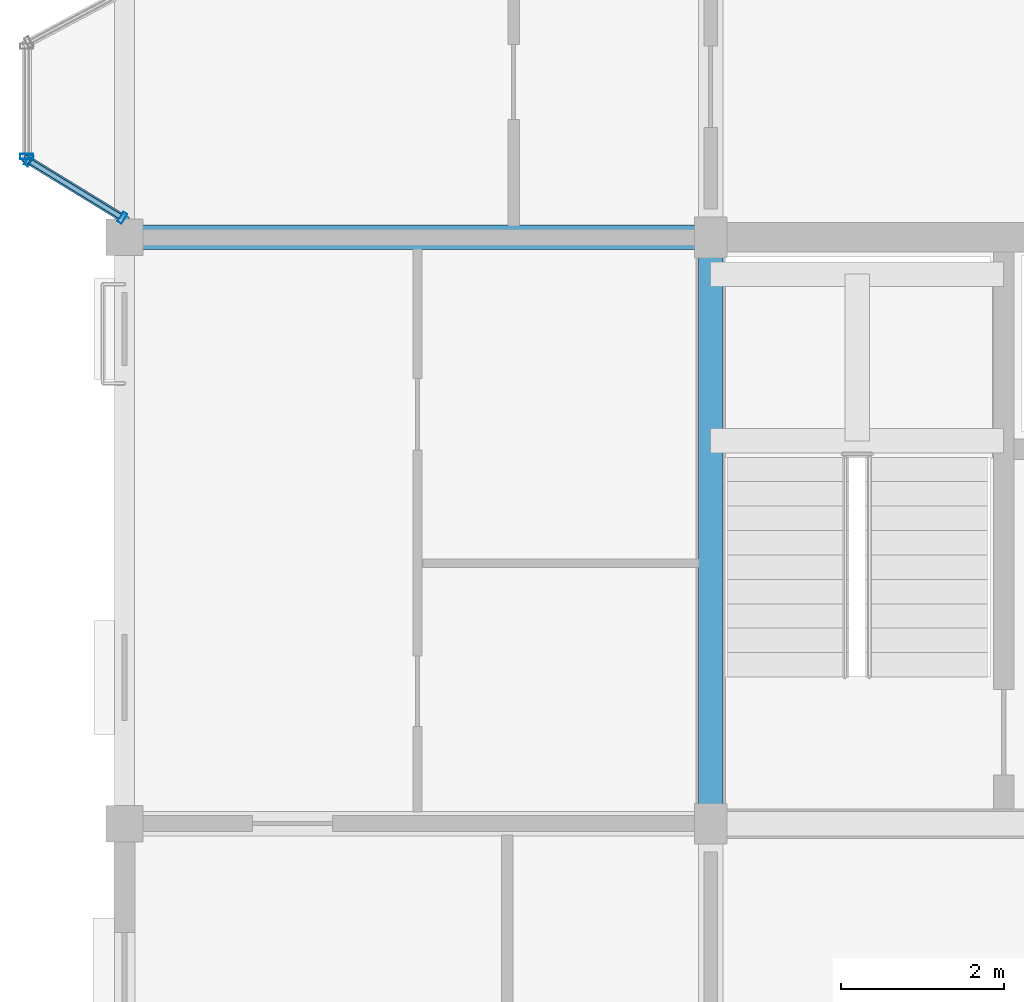
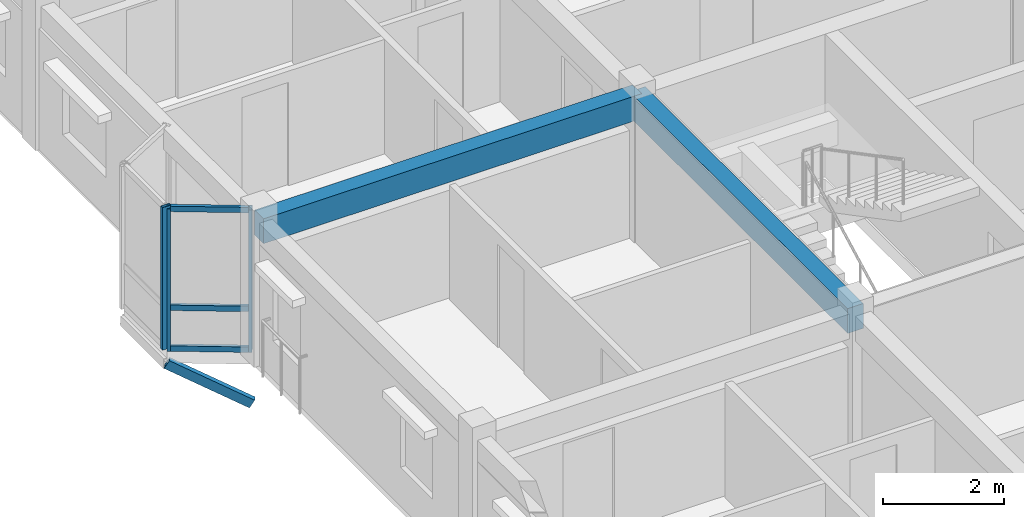
# One storey, part 5 of 28: 7 members, 2 beams, 2 elements without a shape of their own.
"""IFC4 building model written with IfcOpenShell, lengths in metres."""

from ifc_helpers import new_model, si_unit, direction, frame, origin, origin_2d, place, context, subcontext, project, spatial, rectangle, hollow_rectangle, extrude, material, layer, layer_set, material_profile, profile_set, type_object, element, aggregate, save


model = new_model("IFC4")

# Units and contexts
model_context = context("Model", 3, precision=1e-05, world=origin(), true_north=direction((0.0, 1.0)))
body_context = subcontext(model_context, "Body", "Model", "MODEL_VIEW")
ifc_project = project(units=[si_unit("LENGTHUNIT", "METRE"), si_unit("AREAUNIT", "SQUARE_METRE"), si_unit("VOLUMEUNIT", "CUBIC_METRE"), si_unit("PLANEANGLEUNIT", "RADIAN"), si_unit("MASSUNIT", "GRAM", prefix="KILO"), si_unit("THERMODYNAMICTEMPERATUREUNIT", "KELVIN"), si_unit("POWERUNIT", "WATT")], contexts=[model_context])

# Site, building, storey
site_placement = place(None, origin())
site = spatial("IfcSite", under=ifc_project, at=site_placement, CompositionType="ELEMENT")
building_placement = place(site_placement, origin())
building = spatial("IfcBuilding", under=site, at=building_placement, Name="Tavuni Mirador Residences", CompositionType="ELEMENT")
storey_placement = place(building_placement, frame((0.0, 0.0, 39.14990234375)))
storey = spatial("IfcBuildingStorey", under=building, at=storey_placement, Name="L12", CompositionType="ELEMENT", Elevation=39.14990234375)

# Beams
ifc_material_1 = material(Name="Precast concrete C40/50", Category="concrete")
ifc_material_profile_1 = material_profile(ifc_material_1, rectangle(XDim=0.300048828125, YDim=0.5, at=origin_2d()), Name="PC 300x500", Category="concrete")
ifc_profile_set_1 = profile_set([ifc_material_profile_1], Name="Precast concrete C40/50")
beam_type = type_object("IfcBeamType", Name="BT-B500", PredefinedType="BEAM", material=ifc_profile_set_1)
beam_1_placement = place(storey_placement, frame((3.60009765625, 21.60009765625, 2.6201171875), z_axis=(1.0, 0.0, 0.0), x_axis=(0.0, 1.0, 0.0)))
element("IfcBeam", 1, at=beam_1_placement, inside=storey, type_object=beam_type, Name="BMX-BLK-A-L12-00-02", PredefinedType="BEAM", context=body_context, shape_type="SweptSolid", body=[
    extrude(rectangle(XDim=0.300048828125, YDim=0.5, at=origin_2d()), origin(), (0.0, 0.0, 1.0), 7.199951171875),
])
beam_2_placement = place(storey_placement, frame((10.800048828125, 14.39990234375, 2.6201171875), z_axis=(0.0, 1.0, 0.0), x_axis=(-1.0, 0.0, 0.0)))
element("IfcBeam", 2, at=beam_2_placement, inside=storey, type_object=beam_type, Name="BMY-BLK-A-L12-01-01", PredefinedType="BEAM", context=body_context, shape_type="SweptSolid", body=[
    extrude(rectangle(XDim=0.300048828125, YDim=0.5, at=origin_2d()), origin(), (0.0, 0.0, 1.0), 7.2001953125),
])

# Curtain wall, members
ifc_material_2 = material(Name="Anodised aluminium", Category="aluminium")
ifc_layer_1 = layer(ifc_material_2, 0.175048828125, Name="Anodised aluminium", Category="aluminium")
ifc_layer_set_1 = layer_set([ifc_layer_1], Name="Anodised aluminium")
curtain_wall_type_1 = type_object("IfcCurtainWallType", Name="CWT-MIR-C", PredefinedType="NOTDEFINED", material=ifc_layer_set_1)
curtain_wall_1_placement = place(storey_placement, origin())
curtain_wall_1 = element("IfcCurtainWall", 3, at=curtain_wall_1_placement, inside=storey, type_object=curtain_wall_type_1, Name="CW-MIR-A-W2-L12-M2", PredefinedType="NOTDEFINED")
ifc_material_profile_2 = material_profile(ifc_material_2, hollow_rectangle(XDim=0.06005859375, YDim=0.139892578125, WallThickness=0.00390625, at=origin_2d()), Name="ALU 60x140x4.0", Category="aluminium")
ifc_profile_set_2 = profile_set([ifc_material_profile_2], Name="Anodised aluminium")
member_type_1 = type_object("IfcMemberType", Name="CWM-140", PredefinedType="MULLION", material=ifc_profile_set_2)
member_1_placement = place(storey_placement, frame((2.425537109375, 22.54443359375, 0.0), z_axis=(0.0, 0.0, 1.0), x_axis=(0.852754414845, -0.522312079088, 0.0)))
member_1 = element("IfcMember", 4, at=member_1_placement, type_object=member_type_1, Name="CW-03 mullion 1", PredefinedType="MULLION", context=body_context, shape_type="SweptSolid", body=[
    extrude(hollow_rectangle(XDim=0.06005859375, YDim=0.139892578125, WallThickness=0.00390625, at=origin_2d()), origin(), (0.0, 0.0, 1.0), 2.8701171875),
])
member_2_placement = place(storey_placement, frame((3.574462890625, 21.840576171875, 0.0), z_axis=(0.0, 0.0, 1.0), x_axis=(0.852754414845, -0.522312079088, 0.0)))
member_2 = element("IfcMember", 5, at=member_2_placement, type_object=member_type_1, Name="CW-03 mullion 2", PredefinedType="MULLION", context=body_context, shape_type="SweptSolid", body=[
    extrude(hollow_rectangle(XDim=0.06005859375, YDim=0.139892578125, WallThickness=0.00390625, at=origin_2d()), origin(), (0.0, 0.0, 1.0), 2.8701171875),
])

# Curtain wall, member
ifc_layer_2 = layer(ifc_material_2, 0.14990234375, Name="Anodised aluminium", Category="aluminium")
ifc_layer_set_2 = layer_set([ifc_layer_2], Name="Anodised aluminium")
curtain_wall_type_2 = type_object("IfcCurtainWallType", Name="CWT-MIR-B", PredefinedType="NOTDEFINED", material=ifc_layer_set_2)
curtain_wall_2_placement = place(storey_placement, origin())
curtain_wall_2 = element("IfcCurtainWall", 6, at=curtain_wall_2_placement, inside=storey, type_object=curtain_wall_type_2, Name="CW-MIR-A-W2-L12-MF", PredefinedType="NOTDEFINED")
ifc_material_profile_3 = material_profile(ifc_material_2, hollow_rectangle(XDim=0.06494140625, YDim=0.1650390625, WallThickness=0.00439453125, at=origin_2d()), Name="ALU 65x165x4.5", Category="aluminium")
ifc_profile_set_3 = profile_set([ifc_material_profile_3], Name="Anodised aluminium")
member_type_2 = type_object("IfcMemberType", Name="CWM-165", PredefinedType="MULLION", material=ifc_profile_set_3)
member_3_placement = place(storey_placement, frame((2.39990234375, 22.592529296875, 0.0), z_axis=(0.0, 0.0, 1.0), x_axis=(0.0, -1.0, 0.0)))
member_3 = element("IfcMember", 7, at=member_3_placement, type_object=member_type_2, Name="CW-02 mullion 2", PredefinedType="MULLION", context=body_context, shape_type="SweptSolid", body=[
    extrude(hollow_rectangle(XDim=0.06494140625, YDim=0.1650390625, WallThickness=0.00439453125, at=origin_2d()), origin(), (0.0, 0.0, 1.0), 2.8701171875),
])
aggregate(curtain_wall_2, [member_3])

# Member
ifc_material_profile_4 = material_profile(ifc_material_2, hollow_rectangle(XDim=0.06005859375, YDim=0.110107421875, WallThickness=0.00390625, at=origin_2d()), Name="ALU 60x110x4.0", Category="aluminium")
ifc_profile_set_4 = profile_set([ifc_material_profile_4], Name="Anodised aluminium")
member_type_3 = type_object("IfcMemberType", Name="CWT-110", PredefinedType="USERDEFINED", material=ifc_profile_set_4)
member_4_placement = place(storey_placement, frame((2.451171875, 22.528564453125, 0.030029296875), z_axis=(0.85282199672, -0.522201725305, 0.0), x_axis=(0.522201725305, 0.85282199672, 0.0)))
member_4 = element("IfcMember", 8, at=member_4_placement, type_object=member_type_3, Name="CW-03 transom 1.1", ObjectType="TRANSOM", PredefinedType="USERDEFINED", context=body_context, shape_type="SweptSolid", body=[
    extrude(hollow_rectangle(XDim=0.06005859375, YDim=0.110107421875, WallThickness=0.00390625, at=origin_2d()), origin(), (0.0, 0.0, 1.0), 1.287109375),
])

member_5_placement = place(storey_placement, frame((2.451171875, 22.528564453125, 0.85009765625), z_axis=(0.85282199672, -0.522201725305, 0.0), x_axis=(0.522201725305, 0.85282199672, 0.0)))
member_5 = element("IfcMember", 9, at=member_5_placement, type_object=member_type_3, Name="CW-03 transom 1.2", ObjectType="TRANSOM", PredefinedType="USERDEFINED", context=body_context, shape_type="SweptSolid", body=[
    extrude(hollow_rectangle(XDim=0.06005859375, YDim=0.110107421875, WallThickness=0.00390625, at=origin_2d()), origin(), (0.0, 0.0, 1.0), 1.287109375),
])

member_6_placement = place(storey_placement, frame((2.451171875, 22.528564453125, 2.840087890625), z_axis=(0.85282199672, -0.522201725305, 0.0), x_axis=(0.522201725305, 0.85282199672, 0.0)))
member_6 = element("IfcMember", 10, at=member_6_placement, type_object=member_type_3, Name="CW-03 transom 1.3", ObjectType="TRANSOM", PredefinedType="USERDEFINED", context=body_context, shape_type="SweptSolid", body=[
    extrude(hollow_rectangle(XDim=0.06005859375, YDim=0.110107421875, WallThickness=0.00390625, at=origin_2d()), origin(), (0.0, 0.0, 1.0), 1.287109375),
])

aggregate(curtain_wall_1, [member_1, member_2, member_4, member_5, member_6])

ifc_material_3 = material(Name="Structural steel S355", Category="steel")
ifc_material_profile_5 = material_profile(ifc_material_3, hollow_rectangle(XDim=0.10009765625, YDim=0.179931640625, WallThickness=0.008056640625, at=origin_2d()), Name="RHS 180x100x8.0", Category="steel")
ifc_profile_set_5 = profile_set([ifc_material_profile_5], Name="Structural steel S355")
member_type_4 = type_object("IfcMemberType", Name="MT-BR-RHS180", PredefinedType="BRACE", material=ifc_profile_set_5)
member_7_placement = place(storey_placement, frame((3.60009765625, 21.824951171875, -1.0498046875), z_axis=(-0.748111041241, 0.45821040382, 0.479971973978), x_axis=(-0.522305771944, -0.852758277939, 0.0)))
element("IfcMember", 11, at=member_7_placement, inside=storey, type_object=member_type_4, Name="MBRK-MIR-A-W2-L12-1", PredefinedType="BRACE", context=body_context, shape_type="SweptSolid", body=[
    extrude(hollow_rectangle(XDim=0.10009765625, YDim=0.179931640625, WallThickness=0.008056640625, at=origin_2d()), origin(), (0.0, 0.0, 1.0), 1.604248046875),
])

save(model, "model.ifc")
